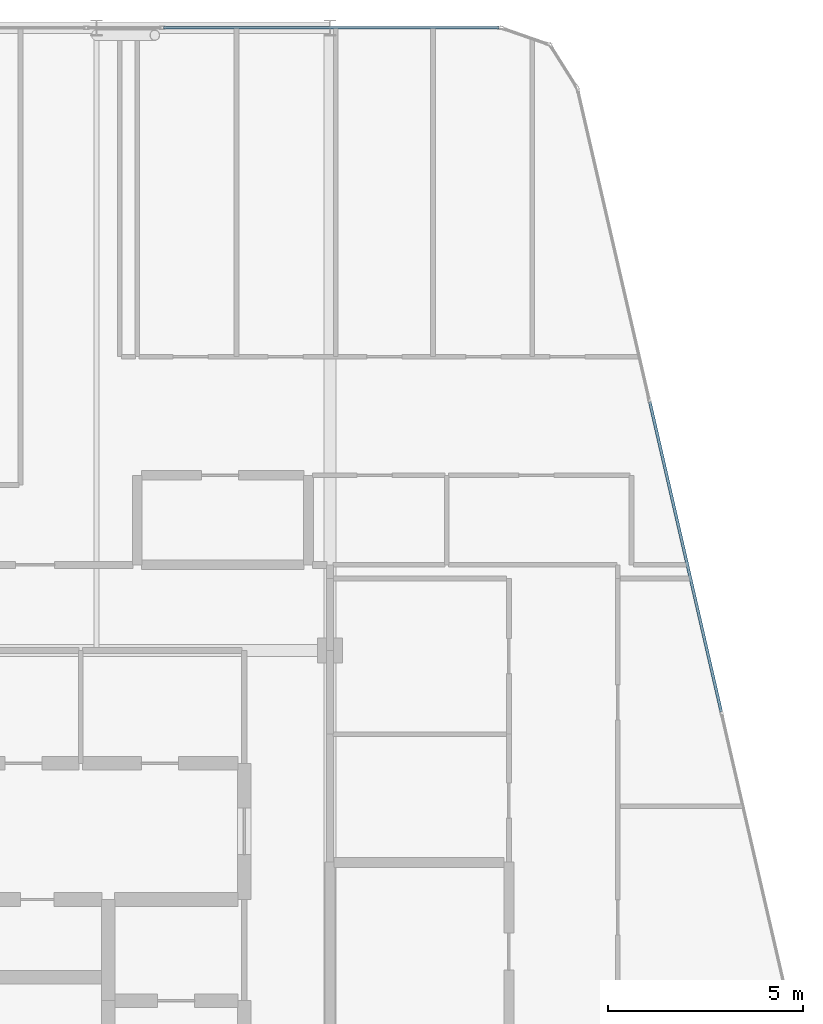
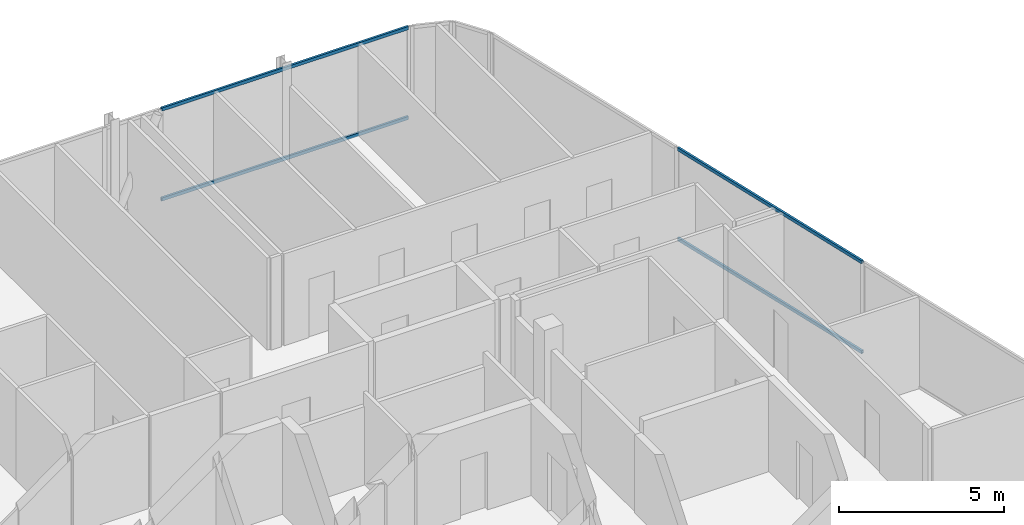
# One storey, part 18 of 27: 4 members, 2 elements without a shape of their own.
"""IFC4 building model written with IfcOpenShell, lengths in metres."""

from ifc_helpers import new_model, si_unit, direction, frame, origin, origin_2d, place, context, subcontext, project, spatial, hollow_rectangle, extrude, material, layer, layer_set, material_profile, profile_set, type_object, element, aggregate, save


model = new_model("IFC4")

# Units and contexts
model_context = context("Model", 3, precision=1e-05, world=origin(), true_north=direction((0.0, 1.0)))
body_context = subcontext(model_context, "Body", "Model", "MODEL_VIEW")
ifc_project = project(units=[si_unit("LENGTHUNIT", "METRE"), si_unit("AREAUNIT", "SQUARE_METRE"), si_unit("VOLUMEUNIT", "CUBIC_METRE"), si_unit("PLANEANGLEUNIT", "RADIAN"), si_unit("MASSUNIT", "GRAM", prefix="KILO")], contexts=[model_context])

# Site, building, storey
site_placement = place(None, origin())
site = spatial("IfcSite", under=ifc_project, at=site_placement, CompositionType="ELEMENT")
building_placement = place(site_placement, origin())
building = spatial("IfcBuilding", under=site, at=building_placement, Name="Keshet Zoharim Tower", CompositionType="ELEMENT")
storey_placement = place(building_placement, frame((0.0, 0.0, 291.699951171875)))
storey = spatial("IfcBuildingStorey", under=building, at=storey_placement, Name="L73", CompositionType="ELEMENT", Elevation=291.699951171875)

# Curtain wall, members
ifc_material = material(Name="Aluminium 6063-T6", Category="aluminium")
ifc_layer = layer(ifc_material, 0.260009765625)
ifc_layer_set = layer_set([ifc_layer], Name="Aluminium 6063-T6")
curtain_wall_type = type_object("IfcCurtainWallType", Name="CW-SYS-06", PredefinedType="NOTDEFINED", material=ifc_layer_set)
curtain_wall_1_placement = place(storey_placement, origin())
curtain_wall_1 = element("IfcCurtainWall", 1, at=curtain_wall_1_placement, inside=storey, type_object=curtain_wall_type, Name="L73 Unitised Curtain Wall 06 Part 5", PredefinedType="NOTDEFINED")
ifc_material_profile = material_profile(ifc_material, hollow_rectangle(XDim=0.074951171875, YDim=0.1201171875, WallThickness=0.00390625, at=origin_2d()), Name="TRN-75x120")
ifc_profile_set = profile_set([ifc_material_profile], Name="Aluminium 6063-T6")
member_type = type_object("IfcMemberType", Name="CWT-T12", PredefinedType="USERDEFINED", material=ifc_profile_set)
member_1_placement = place(storey_placement, frame((28.724853515625, 53.89990234375, 0.03515625), z_axis=(1.0, 0.0, 0.0), x_axis=(0.0, 1.0, 0.0)))
member_1 = element("IfcMember", 2, at=member_1_placement, type_object=member_type, Name="CW-06 transom 1.1", ObjectType="TRANSOM", PredefinedType="USERDEFINED", context=body_context, shape_type="SweptSolid", body=[
    extrude(hollow_rectangle(XDim=0.074951171875, YDim=0.1201171875, WallThickness=0.00390625, at=origin_2d()), origin(), (0.0, 0.0, 1.0), 8.6142578125),
])
member_2_placement = place(storey_placement, frame((28.724853515625, 53.89990234375, 3.35498046875), z_axis=(1.0, 0.0, 0.0), x_axis=(0.0, 1.0, 0.0)))
member_2 = element("IfcMember", 3, at=member_2_placement, type_object=member_type, Name="CW-06 transom 1.2", ObjectType="TRANSOM", PredefinedType="USERDEFINED", context=body_context, shape_type="SweptSolid", body=[
    extrude(hollow_rectangle(XDim=0.074951171875, YDim=0.1201171875, WallThickness=0.00390625, at=origin_2d()), origin(), (0.0, 0.0, 1.0), 8.6142578125),
])
aggregate(curtain_wall_1, [member_1, member_2])

curtain_wall_2_placement = place(storey_placement, origin())
curtain_wall_2 = element("IfcCurtainWall", 4, at=curtain_wall_2_placement, inside=storey, type_object=curtain_wall_type, Name="L73 Unitised Curtain Wall 09", PredefinedType="NOTDEFINED")
member_3_placement = place(storey_placement, frame((41.218505859375, 44.28662109375, 0.03515625), z_axis=(0.224826771459, -0.974398749402, 0.0), x_axis=(0.974398749402, 0.224826771459, 0.0)))
member_3 = element("IfcMember", 5, at=member_3_placement, type_object=member_type, Name="CW-06 transom 2.1", ObjectType="TRANSOM", PredefinedType="USERDEFINED", context=body_context, shape_type="SweptSolid", body=[
    extrude(hollow_rectangle(XDim=0.074951171875, YDim=0.1201171875, WallThickness=0.00390625, at=origin_2d()), origin(), (0.0, 0.0, 1.0), 8.17041015625),
])
member_4_placement = place(storey_placement, frame((41.218505859375, 44.28662109375, 3.35498046875), z_axis=(0.224826771459, -0.974398749402, 0.0), x_axis=(0.974398749402, 0.224826771459, 0.0)))
member_4 = element("IfcMember", 6, at=member_4_placement, type_object=member_type, Name="CW-06 transom 2.2", ObjectType="TRANSOM", PredefinedType="USERDEFINED", context=body_context, shape_type="SweptSolid", body=[
    extrude(hollow_rectangle(XDim=0.074951171875, YDim=0.1201171875, WallThickness=0.00390625, at=origin_2d()), origin(), (0.0, 0.0, 1.0), 8.17041015625),
])
aggregate(curtain_wall_2, [member_3, member_4])

save(model, "model.ifc")
